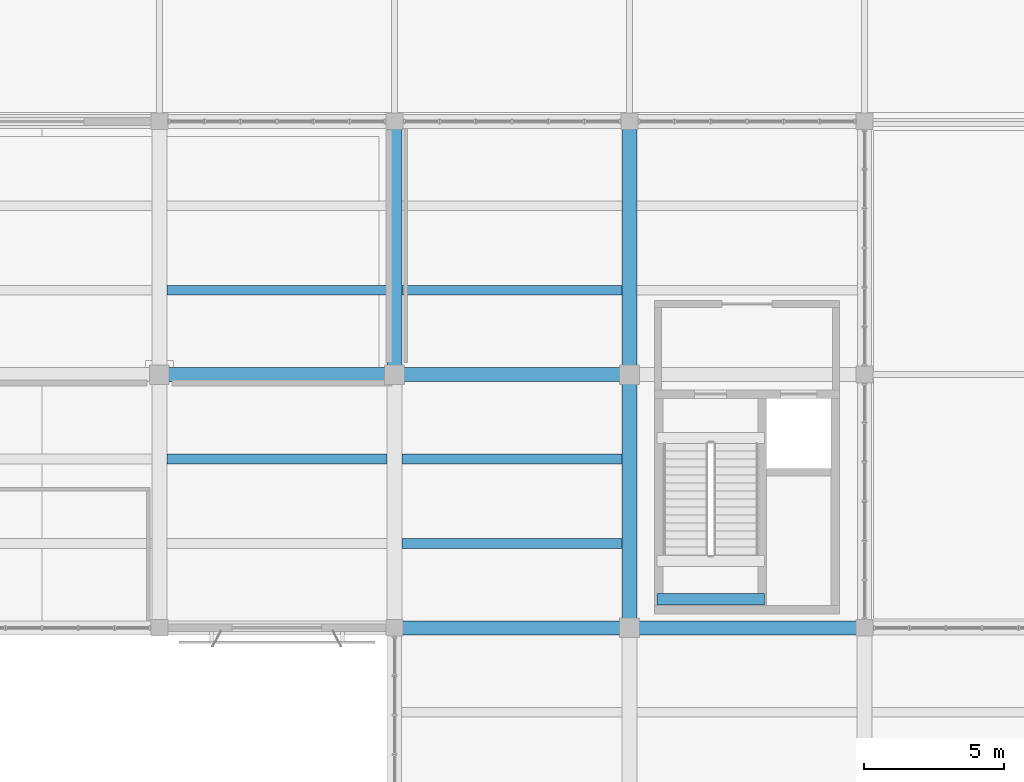
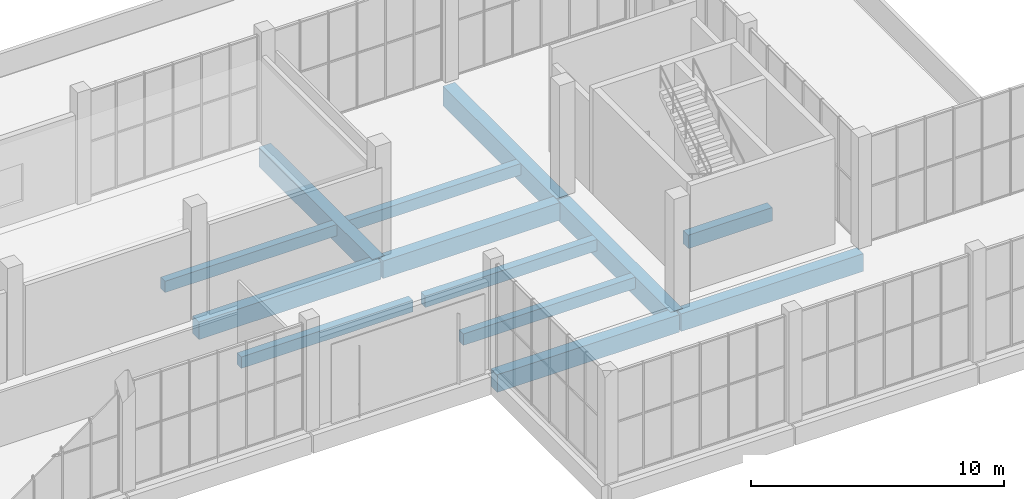
# One storey, part 80 of 132: 13 beams.
"""IFC4 building model written with IfcOpenShell, lengths in metres."""

from ifc_helpers import new_model, si_unit, direction, frame, origin, origin_2d, place, context, subcontext, project, spatial, rectangle, extrude, material, material_profile, profile_set, type_object, element, save


model = new_model("IFC4")

# Units and contexts
model_context = context("Model", 3, precision=1e-05, world=origin(), true_north=direction((0.0, 1.0)))
body_context = subcontext(model_context, "Body", "Model", "MODEL_VIEW")
ifc_project = project(units=[si_unit("LENGTHUNIT", "METRE"), si_unit("AREAUNIT", "SQUARE_METRE"), si_unit("VOLUMEUNIT", "CUBIC_METRE"), si_unit("PLANEANGLEUNIT", "RADIAN"), si_unit("MASSUNIT", "GRAM", prefix="KILO")], contexts=[model_context])

# Site, building, storey
site_placement = place(None, origin())
site = spatial("IfcSite", under=ifc_project, at=site_placement, CompositionType="ELEMENT")
building_placement = place(site_placement, origin())
building = spatial("IfcBuilding", under=site, at=building_placement, Name="Khurvash Pelagic Aquarium", CompositionType="ELEMENT")
storey_placement = place(building_placement, frame((0.0, 0.0, 5.39990234375)))
storey = spatial("IfcBuildingStorey", under=building, at=storey_placement, Name="L01", CompositionType="ELEMENT", Elevation=5.39990234375)

# Beams
ifc_material_1 = material(Name="Concrete C40/50", Category="concrete")
ifc_material_profile_1 = material_profile(ifc_material_1, rectangle(XDim=0.550048828125, YDim=0.949951171875, at=origin_2d()), Name="RC550X950")
ifc_profile_set_1 = profile_set([ifc_material_profile_1], Name="Concrete C40/50")
beam_type_1 = type_object("IfcBeamType", Name="BM-02", PredefinedType="BEAM", material=ifc_profile_set_1)
beam_1_placement = place(storey_placement, frame((100.800048828125, 93.139892578125, -0.784912109375), z_axis=(0.0, 1.0, 0.0), x_axis=(-1.0, 0.0, 0.0)))
element("IfcBeam", 1, at=beam_1_placement, inside=storey, type_object=beam_type_1, Name="L01 Primary Girder BM-02 00417", PredefinedType="BEAM", context=body_context, shape_type="SweptSolid", body=[
    extrude(rectangle(XDim=0.550048828125, YDim=0.949951171875, at=origin_2d()), origin(), (0.0, 0.0, 1.0), 8.97021484375),
])
beam_2_placement = place(storey_placement, frame((109.199951171875, 84.090087890625, -0.784912109375), z_axis=(0.0, 1.0, 0.0), x_axis=(-1.0, 0.0, 0.0)))
element("IfcBeam", 2, at=beam_2_placement, inside=storey, type_object=beam_type_1, Name="L01 Primary Girder BM-02 00422", PredefinedType="BEAM", context=body_context, shape_type="SweptSolid", body=[
    extrude(rectangle(XDim=0.550048828125, YDim=0.949951171875, at=origin_2d()), origin(), (0.0, 0.0, 1.0), 8.969970703125),
])
beam_3_placement = place(storey_placement, frame((109.199951171875, 93.139892578125, -0.784912109375), z_axis=(0.0, 1.0, 0.0), x_axis=(-1.0, 0.0, 0.0)))
element("IfcBeam", 3, at=beam_3_placement, inside=storey, type_object=beam_type_1, Name="L01 Primary Girder BM-02 00423", PredefinedType="BEAM", context=body_context, shape_type="SweptSolid", body=[
    extrude(rectangle(XDim=0.550048828125, YDim=0.949951171875, at=origin_2d()), origin(), (0.0, 0.0, 1.0), 8.97021484375),
])
ifc_material_profile_2 = material_profile(ifc_material_1, rectangle(XDim=0.5, YDim=0.85009765625, at=origin_2d()), Name="RC500X850")
ifc_profile_set_2 = profile_set([ifc_material_profile_2], Name="Concrete C40/50")
beam_type_2 = type_object("IfcBeamType", Name="BM-03", PredefinedType="BEAM", material=ifc_profile_set_2)
beam_4_placement = place(storey_placement, frame((100.840087890625, 84.050048828125, -0.744873046875), z_axis=(1.0, 0.0, 0.0), x_axis=(0.0, 1.0, 0.0)))
element("IfcBeam", 4, at=beam_4_placement, inside=storey, type_object=beam_type_2, Name="L01 Primary Girder BM-03 00315", PredefinedType="BEAM", context=body_context, shape_type="SweptSolid", body=[
    extrude(rectangle(XDim=0.5, YDim=0.85009765625, at=origin_2d()), origin(), (0.0, 0.0, 1.0), 8.31982421875),
])
for number, where, z_axis, x_axis, name in (
    (5, (109.239990234375, 84.050048828125, -0.744873046875), (1.0, 0.0, 0.0), (0.0, 1.0, 0.0), "L01 Primary Girder BM-03 00316"),
    (6, (92.43994140625, 93.10009765625, -0.744873046875), (1.0, 0.0, 0.0), (0.0, 1.0, 0.0), "L01 Primary Girder BM-03 00334"),
):
    element("IfcBeam", number, at=place(storey_placement, frame(where, z_axis=z_axis, x_axis=x_axis)), inside=storey, type_object=beam_type_2, Name=name, PredefinedType="BEAM", context=body_context, shape_type="SweptSolid", body=[
        extrude(rectangle(XDim=0.5, YDim=0.85009765625, at=origin_2d()), origin(), (0.0, 0.0, 1.0), 8.320068359375),
    ])
beam_5_placement = place(storey_placement, frame((100.840087890625, 93.10009765625, -0.744873046875), z_axis=(1.0, 0.0, 0.0), x_axis=(0.0, 1.0, 0.0)))
element("IfcBeam", 7, at=beam_5_placement, inside=storey, type_object=beam_type_2, Name="L01 Primary Girder BM-03 00335", PredefinedType="BEAM", context=body_context, shape_type="SweptSolid", body=[
    extrude(rectangle(XDim=0.5, YDim=0.85009765625, at=origin_2d()), origin(), (0.0, 0.0, 1.0), 8.31982421875),
])
ifc_material_2 = material(Name="Concrete C35/45", Category="concrete")
ifc_material_profile_3 = material_profile(ifc_material_2, rectangle(XDim=0.39990234375, YDim=0.64990234375, at=origin_2d()), Name="RC400X650")
ifc_profile_set_3 = profile_set([ifc_material_profile_3], Name="Concrete C35/45")
beam_type_3 = type_object("IfcBeamType", Name="BM-05", PredefinedType="BEAM", material=ifc_profile_set_3)
beam_6_placement = place(storey_placement, frame((110.179931640625, 85.070068359375, 2.175048828125), z_axis=(1.0, 0.0, 0.0), x_axis=(0.0, 1.0, 0.0)))
element("IfcBeam", 8, at=beam_6_placement, inside=storey, type_object=beam_type_3, Name="L01 Stair ST-06 Mid-Landing Trimmer Beam BM-05", PredefinedType="BEAM", context=body_context, shape_type="SweptSolid", body=[
    extrude(rectangle(XDim=0.39990234375, YDim=0.64990234375, at=origin_2d()), origin(), (0.0, 0.0, 1.0), 3.840087890625),
])
ifc_material_profile_4 = material_profile(ifc_material_2, rectangle(XDim=0.35009765625, YDim=0.550048828125, at=origin_2d()), Name="RC350X550")
ifc_profile_set_4 = profile_set([ifc_material_profile_4], Name="Concrete C35/45")
beam_type_4 = type_object("IfcBeamType", Name="JS-01", PredefinedType="JOIST", material=ifc_profile_set_4)
for number, where, z_axis, x_axis, name in (
    (9, (92.675048828125, 90.0830078125, -0.5849609375), (1.0, 0.0, 0.0), (0.0, 1.0, 0.0), "L01 Floor Joist JS-01 00537"),
    (10, (92.675048828125, 96.116943359375, -0.5849609375), (1.0, 0.0, 0.0), (0.0, 1.0, 0.0), "L01 Floor Joist JS-01 00538"),
):
    element("IfcBeam", number, at=place(storey_placement, frame(where, z_axis=z_axis, x_axis=x_axis)), inside=storey, type_object=beam_type_4, Name=name, PredefinedType="JOIST", context=body_context, shape_type="SweptSolid", body=[
        extrude(rectangle(XDim=0.35009765625, YDim=0.550048828125, at=origin_2d()), origin(), (0.0, 0.0, 1.0), 7.849853515625),
    ])
for number, where, z_axis, x_axis, name in (
    (11, (101.074951171875, 87.06689453125, -0.5849609375), (1.0, 0.0, 0.0), (0.0, 1.0, 0.0), "L01 Floor Joist JS-01 00548"),
    (12, (101.074951171875, 90.0830078125, -0.5849609375), (1.0, 0.0, 0.0), (0.0, 1.0, 0.0), "L01 Floor Joist JS-01 00549"),
    (13, (101.074951171875, 96.116943359375, -0.5849609375), (1.0, 0.0, 0.0), (0.0, 1.0, 0.0), "L01 Floor Joist JS-01 00550"),
):
    element("IfcBeam", number, at=place(storey_placement, frame(where, z_axis=z_axis, x_axis=x_axis)), inside=storey, type_object=beam_type_4, Name=name, PredefinedType="JOIST", context=body_context, shape_type="SweptSolid", body=[
        extrude(rectangle(XDim=0.35009765625, YDim=0.550048828125, at=origin_2d()), origin(), (0.0, 0.0, 1.0), 7.85009765625),
    ])

save(model, "model.ifc")
